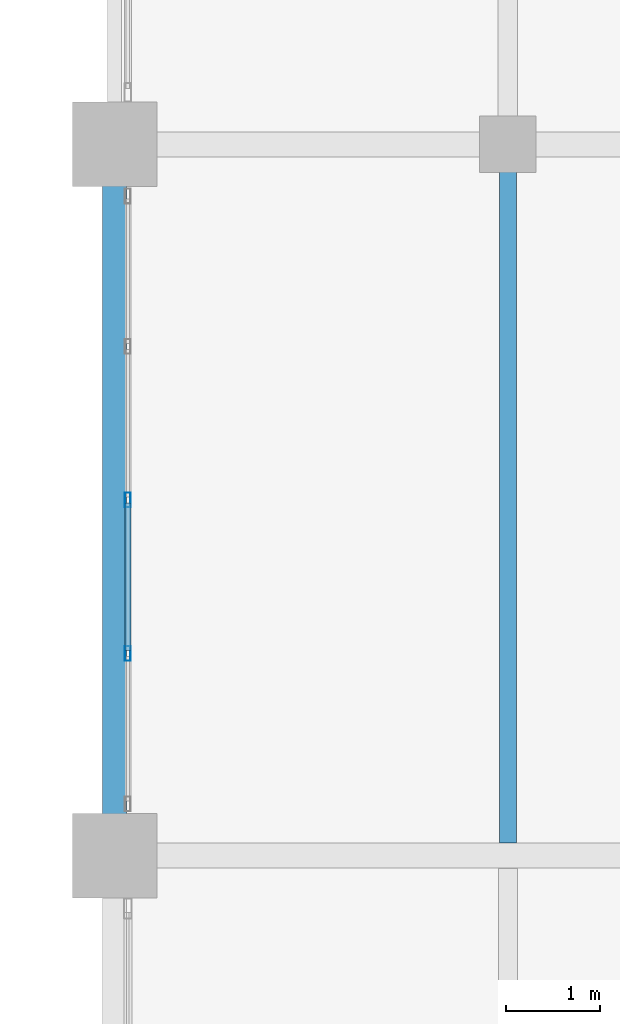
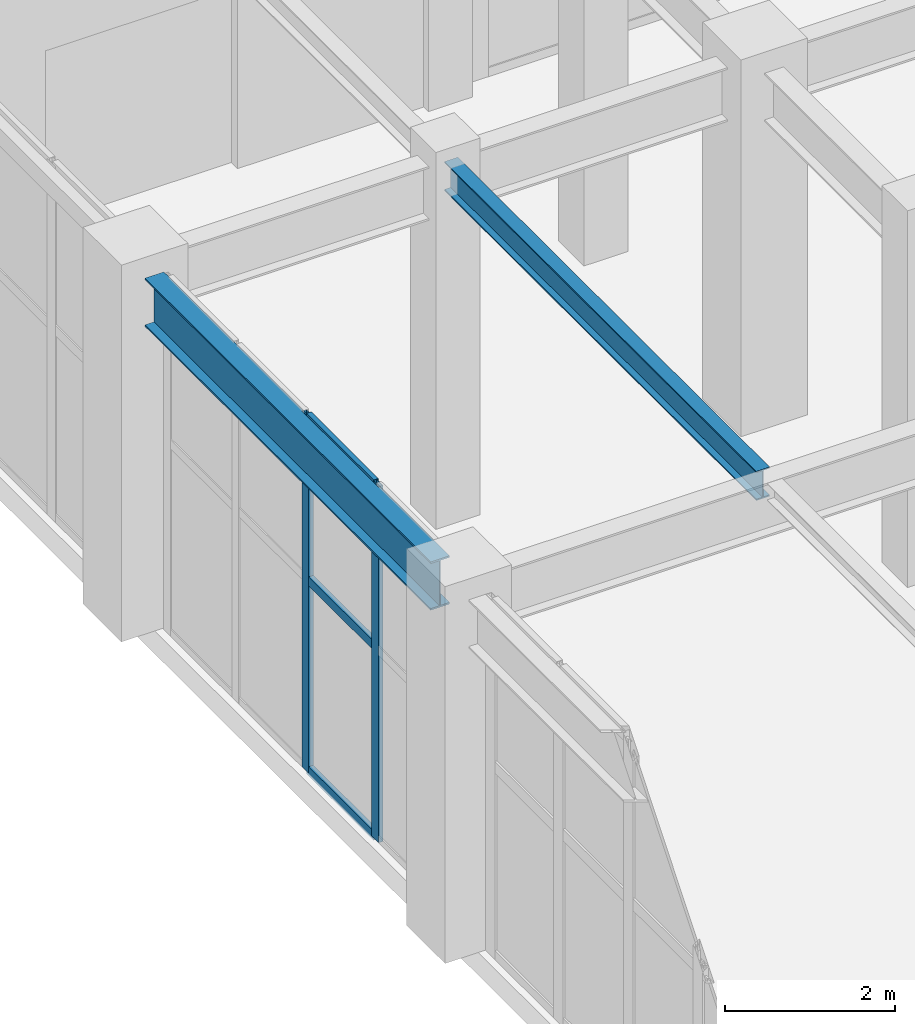
# One storey, part 54 of 139: 5 members, 2 beams, 1 element without a shape of its own.
"""IFC4 building model written with IfcOpenShell, lengths in metres."""

from ifc_helpers import new_model, si_unit, direction, frame, origin, origin_2d, place, context, subcontext, project, spatial, hollow_rectangle, i_section, extrude, material, layer, layer_set, material_profile, profile_set, type_object, element, aggregate, save


model = new_model("IFC4")

# Units and contexts
model_context = context("Model", 3, precision=1e-05, world=origin(), true_north=direction((0.0, 1.0)))
body_context = subcontext(model_context, "Body", "Model", "MODEL_VIEW")
ifc_project = project(units=[si_unit("LENGTHUNIT", "METRE"), si_unit("AREAUNIT", "SQUARE_METRE"), si_unit("VOLUMEUNIT", "CUBIC_METRE"), si_unit("PLANEANGLEUNIT", "RADIAN"), si_unit("MASSUNIT", "GRAM", prefix="KILO")], contexts=[model_context])

# Site, building, storey
site_placement = place(None, origin())
site = spatial("IfcSite", under=ifc_project, at=site_placement, CompositionType="ELEMENT")
building_placement = place(site_placement, origin())
building = spatial("IfcBuilding", under=site, at=building_placement, Name="Xicomal Pleat Aquarium", CompositionType="ELEMENT")
storey_placement = place(building_placement, origin())
storey = spatial("IfcBuildingStorey", under=building, at=storey_placement, Name="L01", CompositionType="ELEMENT", Elevation=0.0)

# Beams
ifc_material_1 = material(Name="Structural steel A992 Gr 50", Category="steel")
ifc_material_profile_1 = material_profile(ifc_material_1, i_section(OverallWidth=0.180908203125, OverallDepth=0.4169921875, WebThickness=0.010986328125, FlangeThickness=0.018310546875, at=origin_2d()), Name="IR 410x85")
ifc_profile_set_1 = profile_set([ifc_material_profile_1], Name="Structural steel A992 Gr 50")
beam_type_1 = type_object("IfcBeamType", Name="BM-STL-IR410", PredefinedType="JOIST", material=ifc_profile_set_1)
beam_1_placement = place(storey_placement, frame((48.0, 68.537109375, 4.8916015625), z_axis=(0.0, 1.0, 0.0), x_axis=(-1.0, 0.0, 0.0)))
element("IfcBeam", 1, at=beam_1_placement, inside=storey, type_object=beam_type_1, Name="L01 framing beam FBJ-L01-06-K-1", PredefinedType="JOIST", context=body_context, shape_type="SweptSolid", body=[
    extrude(i_section(OverallWidth=0.180908203125, OverallDepth=0.4169921875, WebThickness=0.010986328125, FlangeThickness=0.018310546875, at=origin_2d()), origin(), (0.0, 0.0, 1.0), 7.325927734375),
])
ifc_material_2 = material(Name="Structural steel A992 Gr 50", Category="steel")
ifc_material_profile_2 = material_profile(ifc_material_2, i_section(OverallWidth=0.256103515625, OverallDepth=0.693115234375, WebThickness=0.014404296875, FlangeThickness=0.023681640625, at=origin_2d()), Name="IR 690x170")
ifc_profile_set_2 = profile_set([ifc_material_profile_2], Name="Structural steel A992 Gr 50")
beam_type_2 = type_object("IfcBeamType", Name="BM-STL-IR690", PredefinedType="BEAM", material=ifc_profile_set_2)
beam_2_placement = place(storey_placement, frame((43.800048828125, 68.844970703125, 4.75341796875), z_axis=(0.0, 1.0, 0.0), x_axis=(-1.0, 0.0, 0.0)))
element("IfcBeam", 2, at=beam_2_placement, inside=storey, type_object=beam_type_2, Name="L01 framing beam FGY-L01-06-K-L", PredefinedType="BEAM", context=body_context, shape_type="SweptSolid", body=[
    extrude(i_section(OverallWidth=0.256103515625, OverallDepth=0.693115234375, WebThickness=0.014404296875, FlangeThickness=0.023681640625, at=origin_2d()), origin(), (0.0, 0.0, 1.0), 6.7099609375),
])

# Curtain wall, members
ifc_material_3 = material(Name="Bronze anodized aluminium 6063-T6", Category="aluminium")
ifc_layer = layer(ifc_material_3, 0.159912109375)
ifc_layer_set = layer_set([ifc_layer], Name="Bronze anodized aluminium 6063-T6")
curtain_wall_type = type_object("IfcCurtainWallType", Name="CW-SYS-01", PredefinedType="NOTDEFINED", material=ifc_layer_set)
curtain_wall_placement = place(storey_placement, origin())
curtain_wall = element("IfcCurtainWall", 3, at=curtain_wall_placement, inside=storey, type_object=curtain_wall_type, Name="L01 unitised curtain wall CW-L01-033", PredefinedType="NOTDEFINED")
ifc_material_4 = material(Name="Bronze anodized aluminium 6063-T6", Category="aluminium")
ifc_material_profile_3 = material_profile(ifc_material_4, hollow_rectangle(XDim=0.06494140625, YDim=0.159912109375, WallThickness=0.00390625, at=origin_2d()), Name="ALU MULL 65x160")
ifc_profile_set_3 = profile_set([ifc_material_profile_3], Name="Bronze anodized aluminium 6063-T6")
member_type_1 = type_object("IfcMemberType", Name="CWM-65x160", PredefinedType="MULLION", material=ifc_profile_set_3)
member_1_placement = place(storey_placement, frame((43.93994140625, 70.56005859375, 0.0), z_axis=(0.0, 0.0, 1.0), x_axis=(-1.0, 0.0, 0.0)))
member_1 = element("IfcMember", 4, at=member_1_placement, type_object=member_type_1, Name="CW-01 mullion 2", PredefinedType="MULLION", context=body_context, shape_type="SweptSolid", body=[
    extrude(hollow_rectangle(XDim=0.06494140625, YDim=0.159912109375, WallThickness=0.00390625, at=origin_2d()), origin(), (0.0, 0.0, 1.0), 5.10009765625),
])
member_2_placement = place(storey_placement, frame((43.93994140625, 72.199951171875, 0.0), z_axis=(0.0, 0.0, 1.0), x_axis=(-1.0, 0.0, 0.0)))
member_2 = element("IfcMember", 5, at=member_2_placement, type_object=member_type_1, Name="CW-01 mullion 3", PredefinedType="MULLION", context=body_context, shape_type="SweptSolid", body=[
    extrude(hollow_rectangle(XDim=0.06494140625, YDim=0.159912109375, WallThickness=0.00390625, at=origin_2d()), origin(), (0.0, 0.0, 1.0), 5.10009765625),
])
ifc_material_5 = material(Name="Bronze anodized aluminium 6063-T6", Category="aluminium")
ifc_material_profile_4 = material_profile(ifc_material_5, hollow_rectangle(XDim=0.06494140625, YDim=0.1298828125, WallThickness=0.00390625, at=origin_2d()), Name="ALU TRAN 65x130")
ifc_profile_set_4 = profile_set([ifc_material_profile_4], Name="Bronze anodized aluminium 6063-T6")
member_type_2 = type_object("IfcMemberType", Name="CWT-65x130", PredefinedType="USERDEFINED", material=ifc_profile_set_4)
member_3_placement = place(storey_placement, frame((43.93994140625, 70.592529296875, 0.032470703125), z_axis=(0.0, 1.0, 0.0), x_axis=(-1.0, 0.0, 0.0)))
member_3 = element("IfcMember", 6, at=member_3_placement, type_object=member_type_2, Name="CW-01 transom 2.1", ObjectType="TRANSOM", PredefinedType="USERDEFINED", context=body_context, shape_type="SweptSolid", body=[
    extrude(hollow_rectangle(XDim=0.06494140625, YDim=0.1298828125, WallThickness=0.00390625, at=origin_2d()), origin(), (0.0, 0.0, 1.0), 1.574951171875),
])
member_4_placement = place(storey_placement, frame((43.93994140625, 70.592529296875, 2.75390625), z_axis=(0.0, 1.0, 0.0), x_axis=(-1.0, 0.0, 0.0)))
member_4 = element("IfcMember", 7, at=member_4_placement, type_object=member_type_2, Name="CW-01 transom 2.2", ObjectType="TRANSOM", PredefinedType="USERDEFINED", context=body_context, shape_type="SweptSolid", body=[
    extrude(hollow_rectangle(XDim=0.06494140625, YDim=0.1298828125, WallThickness=0.00390625, at=origin_2d()), origin(), (0.0, 0.0, 1.0), 1.574951171875),
])
member_5_placement = place(storey_placement, frame((43.93994140625, 70.592529296875, 5.0673828125), z_axis=(0.0, 1.0, 0.0), x_axis=(-1.0, 0.0, 0.0)))
member_5 = element("IfcMember", 8, at=member_5_placement, type_object=member_type_2, Name="CW-01 transom 2.3", ObjectType="TRANSOM", PredefinedType="USERDEFINED", context=body_context, shape_type="SweptSolid", body=[
    extrude(hollow_rectangle(XDim=0.06494140625, YDim=0.1298828125, WallThickness=0.00390625, at=origin_2d()), origin(), (0.0, 0.0, 1.0), 1.574951171875),
])
aggregate(curtain_wall, [member_1, member_2, member_3, member_4, member_5])

save(model, "model.ifc")
